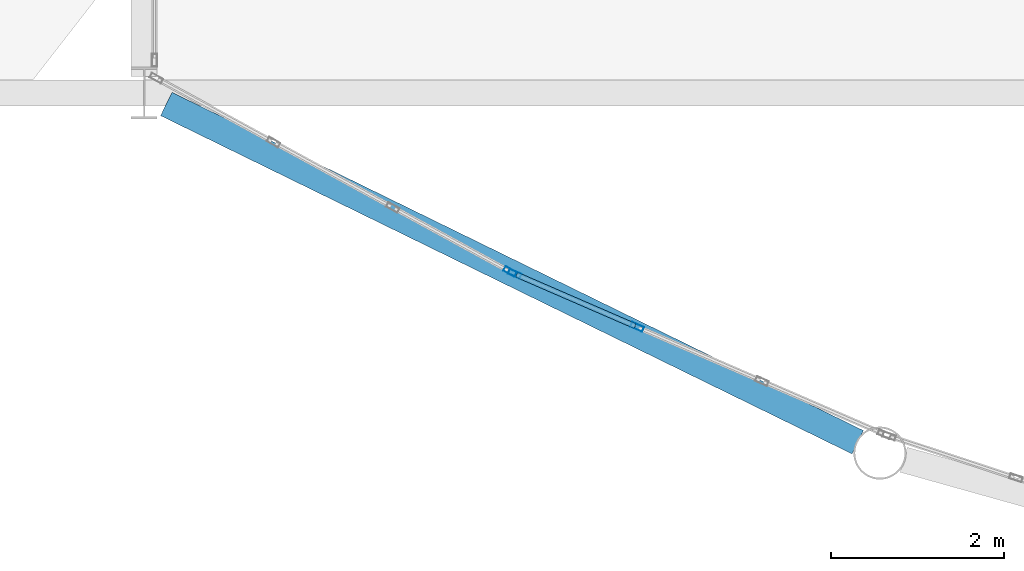
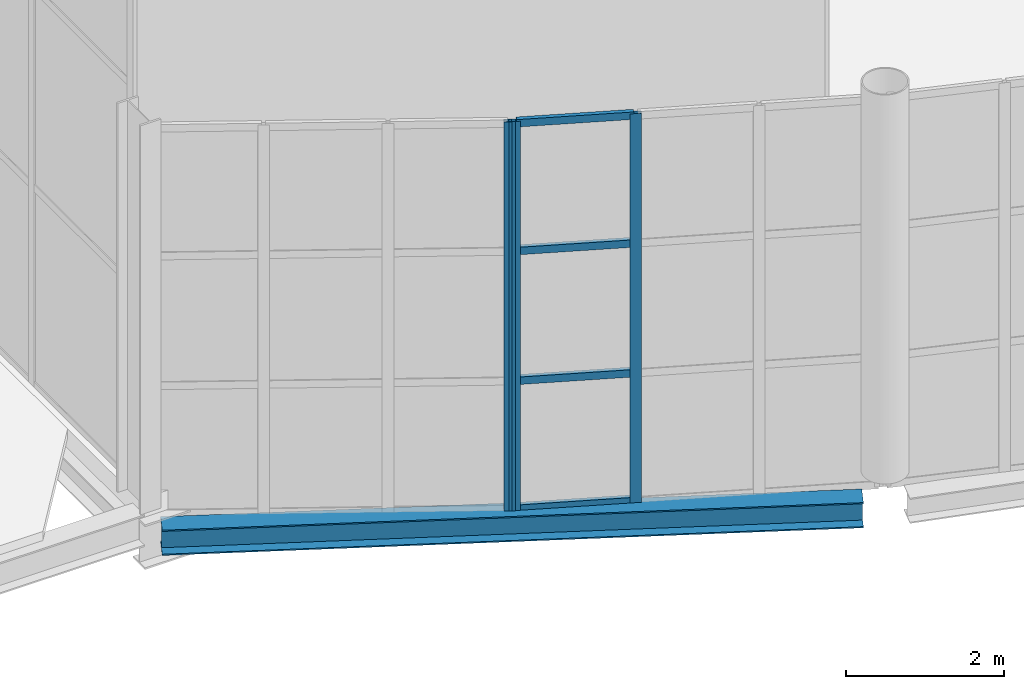
# One storey, part 26 of 191: 7 members, 1 beam, 2 elements without a shape of their own.
"""IFC4 building model written with IfcOpenShell, lengths in metres."""

from ifc_helpers import new_model, si_unit, direction, frame, origin, origin_2d, place, context, subcontext, project, spatial, hollow_rectangle, i_section, extrude, material, layer, layer_set, material_profile, profile_set, type_object, element, aggregate, save


model = new_model("IFC4")

# Units and contexts
model_context = context("Model", 3, precision=1e-05, world=origin(), true_north=direction((0.0, 1.0)))
body_context = subcontext(model_context, "Body", "Model", "MODEL_VIEW")
ifc_project = project(units=[si_unit("LENGTHUNIT", "METRE"), si_unit("AREAUNIT", "SQUARE_METRE"), si_unit("VOLUMEUNIT", "CUBIC_METRE"), si_unit("PLANEANGLEUNIT", "RADIAN"), si_unit("MASSUNIT", "GRAM", prefix="KILO")], contexts=[model_context])

# Site, building, storey
site_placement = place(None, origin())
site = spatial("IfcSite", under=ifc_project, at=site_placement, CompositionType="ELEMENT")
building_placement = place(site_placement, origin())
building = spatial("IfcBuilding", under=site, at=building_placement, Name="Tamarisk Ironworks Central Station", CompositionType="ELEMENT")
storey_placement = place(building_placement, frame((0.0, 0.0, 6.60009765625)))
storey = spatial("IfcBuildingStorey", under=building, at=storey_placement, Name="L01", CompositionType="ELEMENT", Elevation=6.60009765625)

# Beam
ifc_material_1 = material(Name="Structural steel S355J2", Category="steel")
ifc_material_profile_1 = material_profile(ifc_material_1, i_section(OverallWidth=0.300048828125, OverallDepth=0.389892578125, WebThickness=0.010986328125, FlangeThickness=0.01904296875, at=origin_2d()), Name="HEA 400")
ifc_profile_set_1 = profile_set([ifc_material_profile_1], Name="Structural steel S355J2")
beam_type = type_object("IfcBeamType", Name="BM-G07", PredefinedType="BEAM", material=ifc_profile_set_1)
beam_placement = place(storey_placement, frame((54.256103515625, 10.6748046875, -0.5751953125), z_axis=(0.898280916505, -0.439421659734, 0.0), x_axis=(0.439421659734, 0.898280916505, 0.0)))
element("IfcBeam", 1, at=beam_placement, inside=storey, type_object=beam_type, Name="SN rounded nose L01 chord girder 001", PredefinedType="BEAM", context=body_context, shape_type="SweptSolid", body=[
    extrude(i_section(OverallWidth=0.300048828125, OverallDepth=0.389892578125, WebThickness=0.010986328125, FlangeThickness=0.01904296875, at=origin_2d()), origin(), (0.0, 0.0, 1.0), 8.880126953125),
])

# Curtain wall, member
ifc_material_2 = material(Name="Anodized aluminium alloy 6063-T6", Category="aluminium")
ifc_layer = layer(ifc_material_2, 0.179931640625)
ifc_layer_set = layer_set([ifc_layer], Name="Anodized aluminium alloy 6063-T6")
curtain_wall_type = type_object("IfcCurtainWallType", Name="CW-02", PredefinedType="USERDEFINED", material=ifc_layer_set)
curtain_wall_1_placement = place(storey_placement, origin())
curtain_wall_1 = element("IfcCurtainWall", 2, at=curtain_wall_1_placement, inside=storey, type_object=curtain_wall_type, Name="SN rounded entrance hall L01 curtain wall bay 01", ObjectType="GLAZED CURTAIN WALL", PredefinedType="USERDEFINED")
ifc_material_profile_2 = material_profile(ifc_material_2, hollow_rectangle(XDim=0.06005859375, YDim=0.14990234375, WallThickness=0.00341796875, at=origin_2d()), Name="ALUM 150x60")
ifc_profile_set_2 = profile_set([ifc_material_profile_2], Name="Anodized aluminium alloy 6063-T6")
member_type_1 = type_object("IfcMemberType", Name="CWM-03", PredefinedType="MULLION", material=ifc_profile_set_2)
member_1_placement = place(storey_placement, frame((58.221435546875, 8.74169921875, -0.385009765625), z_axis=(0.0, 0.0, 1.0), x_axis=(0.47980544644, 0.877374910495, 0.0)))
member_1 = element("IfcMember", 3, at=member_1_placement, type_object=member_type_1, Name="CW02 mullion 4", PredefinedType="MULLION", context=body_context, shape_type="SweptSolid", body=[
    extrude(hollow_rectangle(XDim=0.06005859375, YDim=0.14990234375, WallThickness=0.00341796875, at=origin_2d()), origin(), (0.0, 0.0, 1.0), 6.0048828125),
])
aggregate(curtain_wall_1, [member_1])

# Curtain wall, members
curtain_wall_2_placement = place(storey_placement, origin())
curtain_wall_2 = element("IfcCurtainWall", 4, at=curtain_wall_2_placement, inside=storey, type_object=curtain_wall_type, Name="SN rounded entrance hall L01 curtain wall bay 02", ObjectType="GLAZED CURTAIN WALL", PredefinedType="USERDEFINED")
member_2_placement = place(storey_placement, frame((58.275390625, 8.715576171875, -0.385009765625), z_axis=(0.0, 0.0, 1.0), x_axis=(0.398076935564, 0.917352033503, 0.0)))
member_2 = element("IfcMember", 5, at=member_2_placement, type_object=member_type_1, Name="CW02 mullion 1", PredefinedType="MULLION", context=body_context, shape_type="SweptSolid", body=[
    extrude(hollow_rectangle(XDim=0.06005859375, YDim=0.14990234375, WallThickness=0.00341796875, at=origin_2d()), origin(), (0.0, 0.0, 1.0), 6.0048828125),
])
member_3_placement = place(storey_placement, frame((59.68798828125, 8.1025390625, -0.385009765625), z_axis=(0.0, 0.0, 1.0), x_axis=(0.398076935564, 0.917352033503, 0.0)))
member_3 = element("IfcMember", 6, at=member_3_placement, type_object=member_type_1, Name="CW02 mullion 2", PredefinedType="MULLION", context=body_context, shape_type="SweptSolid", body=[
    extrude(hollow_rectangle(XDim=0.06005859375, YDim=0.14990234375, WallThickness=0.00341796875, at=origin_2d()), origin(), (0.0, 0.0, 1.0), 6.0048828125),
])
ifc_material_profile_3 = material_profile(ifc_material_2, hollow_rectangle(XDim=0.06005859375, YDim=0.114990234375, WallThickness=0.00341796875, at=origin_2d()), Name="ALUM 115x60")
ifc_profile_set_3 = profile_set([ifc_material_profile_3], Name="Anodized aluminium alloy 6063-T6")
member_type_2 = type_object("IfcMemberType", Name="CWT-03", PredefinedType="USERDEFINED", material=ifc_profile_set_3)
member_4_placement = place(storey_placement, frame((58.299072265625, 8.705078125, -0.35498046875), z_axis=(0.91736196863, -0.398054039688, 0.0), x_axis=(0.398054039688, 0.91736196863, 0.0)))
member_4 = element("IfcMember", 7, at=member_4_placement, type_object=member_type_2, Name="CW02 transom 1.1", ObjectType="TRANSOM", PredefinedType="USERDEFINED", context=body_context, shape_type="SweptSolid", body=[
    extrude(hollow_rectangle(XDim=0.06005859375, YDim=0.114990234375, WallThickness=0.00341796875, at=origin_2d()), origin(), (0.0, 0.0, 1.0), 1.488037109375),
])
member_5_placement = place(storey_placement, frame((58.299072265625, 8.705078125, 1.61669921875), z_axis=(0.91736196863, -0.398054039688, 0.0), x_axis=(0.398054039688, 0.91736196863, 0.0)))
member_5 = element("IfcMember", 8, at=member_5_placement, type_object=member_type_2, Name="CW02 transom 1.2", ObjectType="TRANSOM", PredefinedType="USERDEFINED", context=body_context, shape_type="SweptSolid", body=[
    extrude(hollow_rectangle(XDim=0.06005859375, YDim=0.114990234375, WallThickness=0.00341796875, at=origin_2d()), origin(), (0.0, 0.0, 1.0), 1.488037109375),
])
member_6_placement = place(storey_placement, frame((58.299072265625, 8.705078125, 3.6181640625), z_axis=(0.91736196863, -0.398054039688, 0.0), x_axis=(0.398054039688, 0.91736196863, 0.0)))
member_6 = element("IfcMember", 9, at=member_6_placement, type_object=member_type_2, Name="CW02 transom 1.3", ObjectType="TRANSOM", PredefinedType="USERDEFINED", context=body_context, shape_type="SweptSolid", body=[
    extrude(hollow_rectangle(XDim=0.06005859375, YDim=0.114990234375, WallThickness=0.00341796875, at=origin_2d()), origin(), (0.0, 0.0, 1.0), 1.488037109375),
])
member_7_placement = place(storey_placement, frame((58.299072265625, 8.705078125, 5.58984375), z_axis=(0.91736196863, -0.398054039688, 0.0), x_axis=(0.398054039688, 0.91736196863, 0.0)))
member_7 = element("IfcMember", 10, at=member_7_placement, type_object=member_type_2, Name="CW02 transom 1.4", ObjectType="TRANSOM", PredefinedType="USERDEFINED", context=body_context, shape_type="SweptSolid", body=[
    extrude(hollow_rectangle(XDim=0.06005859375, YDim=0.114990234375, WallThickness=0.00341796875, at=origin_2d()), origin(), (0.0, 0.0, 1.0), 1.488037109375),
])
aggregate(curtain_wall_2, [member_2, member_3, member_4, member_5, member_6, member_7])

save(model, "model.ifc")
